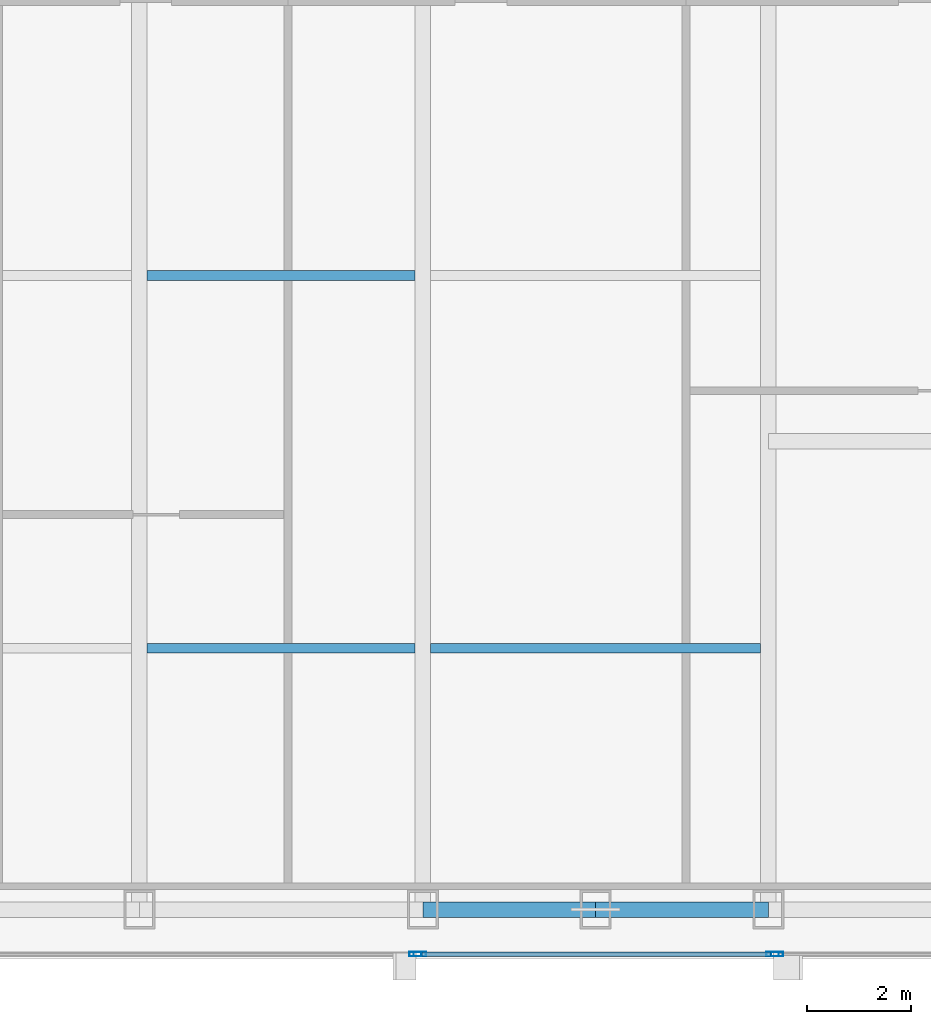
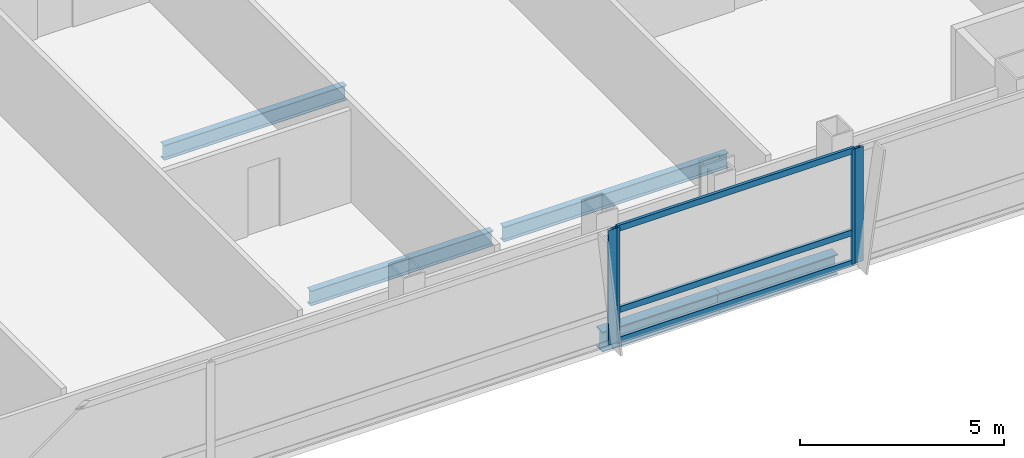
# One storey, part 14 of 29: 7 members, 5 beams, 3 elements without a shape of their own.
"""IFC4 building model written with IfcOpenShell, lengths in metres."""

from ifc_helpers import new_model, si_unit, direction, frame, origin, origin_2d, place, context, subcontext, project, spatial, hollow_rectangle, i_section, extrude, material, material_profile, profile_set, type_object, element, aggregate, save


model = new_model("IFC4")

# Units and contexts
model_context = context("Model", 3, precision=1e-05, world=origin(), true_north=direction((0.0, 1.0)))
body_context = subcontext(model_context, "Body", "Model", "MODEL_VIEW")
ifc_project = project(units=[si_unit("LENGTHUNIT", "METRE"), si_unit("AREAUNIT", "SQUARE_METRE"), si_unit("VOLUMEUNIT", "CUBIC_METRE"), si_unit("PLANEANGLEUNIT", "RADIAN"), si_unit("MASSUNIT", "GRAM", prefix="KILO")], contexts=[model_context])

# Site, building, storey
site_placement = place(None, origin())
site = spatial("IfcSite", under=ifc_project, at=site_placement, CompositionType="ELEMENT")
building_placement = place(site_placement, origin())
building = spatial("IfcBuilding", under=site, at=building_placement, Name="Khoronbel Lancet Exchange", CompositionType="ELEMENT")
storey_placement = place(building_placement, frame((0.0, 0.0, 246.199951171875)))
storey = spatial("IfcBuildingStorey", under=building, at=storey_placement, Name="L63", CompositionType="ELEMENT", Elevation=246.199951171875)

# Beams
ifc_material_1 = material(Name="Steel S355", Category="steel")
ifc_material_profile_1 = material_profile(ifc_material_1, i_section(OverallWidth=0.18994140625, OverallDepth=0.449951171875, WebThickness=0.009521484375, FlangeThickness=0.0146484375, at=origin_2d()), Name="IPE 450")
ifc_profile_set_1 = profile_set([ifc_material_profile_1], Name="Steel S355")
beam_type_1 = type_object("IfcBeamType", Name="BM-BJ4", PredefinedType="JOIST", material=ifc_profile_set_1)
beam_1_placement = place(storey_placement, frame((42.675048828125, 15.199951171875, -0.385009765625), z_axis=(1.0, 0.0, 0.0), x_axis=(0.0, 1.0, 0.0)))
element("IfcBeam", 1, at=beam_1_placement, inside=storey, type_object=beam_type_1, Name="Level L63 secondary composite joist J04", PredefinedType="JOIST", context=body_context, shape_type="SweptSolid", body=[
    extrude(i_section(OverallWidth=0.18994140625, OverallDepth=0.449951171875, WebThickness=0.009521484375, FlangeThickness=0.0146484375, at=origin_2d()), origin(), (0.0, 0.0, 1.0), 5.175048828125),
])
beam_2_placement = place(storey_placement, frame((48.14990234375, 15.199951171875, -0.385009765625), z_axis=(1.0, 0.0, 0.0), x_axis=(0.0, 1.0, 0.0)))
element("IfcBeam", 2, at=beam_2_placement, inside=storey, type_object=beam_type_1, Name="Level L63 secondary composite joist J05", PredefinedType="JOIST", context=body_context, shape_type="SweptSolid", body=[
    extrude(i_section(OverallWidth=0.18994140625, OverallDepth=0.449951171875, WebThickness=0.009521484375, FlangeThickness=0.0146484375, at=origin_2d()), origin(), (0.0, 0.0, 1.0), 6.375),
])
beam_3_placement = place(storey_placement, frame((42.675048828125, 22.39990234375, -0.385009765625), z_axis=(1.0, 0.0, 0.0), x_axis=(0.0, 1.0, 0.0)))
element("IfcBeam", 3, at=beam_3_placement, inside=storey, type_object=beam_type_1, Name="Level L63 secondary composite joist J09", PredefinedType="JOIST", context=body_context, shape_type="SweptSolid", body=[
    extrude(i_section(OverallWidth=0.18994140625, OverallDepth=0.449951171875, WebThickness=0.009521484375, FlangeThickness=0.0146484375, at=origin_2d()), origin(), (0.0, 0.0, 1.0), 5.175048828125),
])
ifc_material_profile_2 = material_profile(ifc_material_1, i_section(OverallWidth=0.300048828125, OverallDepth=0.60009765625, WebThickness=0.015380859375, FlangeThickness=0.030029296875, at=origin_2d()), Name="HEB 600")
ifc_profile_set_2 = profile_set([ifc_material_profile_2], Name="Steel S355")
beam_type_2 = type_object("IfcBeamType", Name="BM-BSP2", PredefinedType="SPANDREL", material=ifc_profile_set_2)
beam_4_placement = place(storey_placement, frame((48.0, 10.14990234375, -0.4599609375), z_axis=(1.0, 0.0, 0.0), x_axis=(0.0, 1.0, 0.0)))
element("IfcBeam", 4, at=beam_4_placement, inside=storey, type_object=beam_type_2, Name="Level L63 perimeter spandrel beam SP07", PredefinedType="SPANDREL", context=body_context, shape_type="SweptSolid", body=[
    extrude(i_section(OverallWidth=0.300048828125, OverallDepth=0.60009765625, WebThickness=0.015380859375, FlangeThickness=0.030029296875, at=origin_2d()), origin(), (0.0, 0.0, 1.0), 3.33740234375),
])
beam_5_placement = place(storey_placement, frame((51.33740234375, 10.14990234375, -0.4599609375), z_axis=(1.0, 0.0, 0.0), x_axis=(0.0, 1.0, 0.0)))
element("IfcBeam", 5, at=beam_5_placement, inside=storey, type_object=beam_type_2, Name="Level L63 perimeter spandrel beam SP08", PredefinedType="SPANDREL", context=body_context, shape_type="SweptSolid", body=[
    extrude(i_section(OverallWidth=0.300048828125, OverallDepth=0.60009765625, WebThickness=0.015380859375, FlangeThickness=0.030029296875, at=origin_2d()), origin(), (0.0, 0.0, 1.0), 3.337646484375),
])

# Curtain wall, member
ifc_material_2 = material(Name="Low-E Solar Control Insulating Glass", Category="glass")
curtain_wall_type = type_object("IfcCurtainWallType", Name="CW-3", PredefinedType="NOTDEFINED", material=ifc_material_2)
curtain_wall_1_placement = place(storey_placement, origin())
curtain_wall_1 = element("IfcCurtainWall", 6, at=curtain_wall_1_placement, inside=storey, type_object=curtain_wall_type, Name="Unitised curtain wall CW-L63-SCV", PredefinedType="NOTDEFINED")
ifc_material_3 = material(Name="Bronze-Anodised Aluminium 6063-T6", Category="aluminium")
ifc_material_profile_3 = material_profile(ifc_material_3, hollow_rectangle(XDim=0.0849609375, YDim=0.239990234375, WallThickness=0.006103515625, at=origin_2d()), Name="ALU MULLION 85x240")
ifc_profile_set_3 = profile_set([ifc_material_profile_3], Name="Bronze-Anodised Aluminium 6063-T6")
member_type_1 = type_object("IfcMemberType", Name="MEM-CWM1", PredefinedType="MULLION", material=ifc_profile_set_3)
member_1_placement = place(storey_placement, frame((47.857421875, 9.2900390625, 0.0), z_axis=(0.0, 0.0, 1.0), x_axis=(0.0, 1.0, 0.0)))
member_1 = element("IfcMember", 7, at=member_1_placement, type_object=member_type_1, Name="CW3 mullion 3", PredefinedType="MULLION", context=body_context, shape_type="SweptSolid", body=[
    extrude(hollow_rectangle(XDim=0.0849609375, YDim=0.239990234375, WallThickness=0.006103515625, at=origin_2d()), origin(), (0.0, 0.0, 1.0), 3.43994140625),
])
aggregate(curtain_wall_1, [member_1])

# Curtain wall, members
curtain_wall_2_placement = place(storey_placement, origin())
curtain_wall_2 = element("IfcCurtainWall", 8, at=curtain_wall_2_placement, inside=storey, type_object=curtain_wall_type, Name="Unitised curtain wall CW-L63-SEB", PredefinedType="NOTDEFINED")
member_2_placement = place(storey_placement, frame((47.9423828125, 9.2900390625, 0.0), z_axis=(0.0, 0.0, 1.0), x_axis=(0.0, 1.0, 0.0)))
member_2 = element("IfcMember", 9, at=member_2_placement, type_object=member_type_1, Name="CW3 mullion 1", PredefinedType="MULLION", context=body_context, shape_type="SweptSolid", body=[
    extrude(hollow_rectangle(XDim=0.0849609375, YDim=0.239990234375, WallThickness=0.006103515625, at=origin_2d()), origin(), (0.0, 0.0, 1.0), 3.43994140625),
])
member_3_placement = place(storey_placement, frame((54.757568359375, 9.2900390625, 0.0), z_axis=(0.0, 0.0, 1.0), x_axis=(0.0, 1.0, 0.0)))
member_3 = element("IfcMember", 10, at=member_3_placement, type_object=member_type_1, Name="CW3 mullion 2", PredefinedType="MULLION", context=body_context, shape_type="SweptSolid", body=[
    extrude(hollow_rectangle(XDim=0.0849609375, YDim=0.239990234375, WallThickness=0.006103515625, at=origin_2d()), origin(), (0.0, 0.0, 1.0), 3.43994140625),
])

# Curtain wall, member
curtain_wall_3_placement = place(storey_placement, origin())
curtain_wall_3 = element("IfcCurtainWall", 11, at=curtain_wall_3_placement, inside=storey, type_object=curtain_wall_type, Name="Unitised curtain wall CW-L63-SEV", PredefinedType="NOTDEFINED")
member_4_placement = place(storey_placement, frame((54.842529296875, 9.2900390625, 0.0), z_axis=(0.0, 0.0, 1.0), x_axis=(0.0, 1.0, 0.0)))
member_4 = element("IfcMember", 12, at=member_4_placement, type_object=member_type_1, Name="CW3 mullion 1", PredefinedType="MULLION", context=body_context, shape_type="SweptSolid", body=[
    extrude(hollow_rectangle(XDim=0.0849609375, YDim=0.239990234375, WallThickness=0.006103515625, at=origin_2d()), origin(), (0.0, 0.0, 1.0), 3.43994140625),
])
aggregate(curtain_wall_3, [member_4])

# Member
ifc_material_profile_4 = material_profile(ifc_material_3, hollow_rectangle(XDim=0.0849609375, YDim=0.179931640625, WallThickness=0.0048828125, at=origin_2d()), Name="ALU TRANSOM 85x180")
ifc_profile_set_4 = profile_set([ifc_material_profile_4], Name="Bronze-Anodised Aluminium 6063-T6")
member_type_2 = type_object("IfcMemberType", Name="MEM-CWT1", PredefinedType="USERDEFINED", material=ifc_profile_set_4)
member_5_placement = place(storey_placement, frame((47.985107421875, 9.2900390625, 0.04248046875), z_axis=(1.0, 0.0, 0.0), x_axis=(0.0, 1.0, 0.0)))
member_5 = element("IfcMember", 13, at=member_5_placement, type_object=member_type_2, Name="CW3 transom 1.1", ObjectType="TRANSOM", PredefinedType="USERDEFINED", context=body_context, shape_type="SweptSolid", body=[
    extrude(hollow_rectangle(XDim=0.0849609375, YDim=0.179931640625, WallThickness=0.0048828125, at=origin_2d()), origin(), (0.0, 0.0, 1.0), 6.72998046875),
])

member_6_placement = place(storey_placement, frame((47.985107421875, 9.2900390625, 0.949951171875), z_axis=(1.0, 0.0, 0.0), x_axis=(0.0, 1.0, 0.0)))
member_6 = element("IfcMember", 14, at=member_6_placement, type_object=member_type_2, Name="CW3 transom 1.2", ObjectType="TRANSOM", PredefinedType="USERDEFINED", context=body_context, shape_type="SweptSolid", body=[
    extrude(hollow_rectangle(XDim=0.0849609375, YDim=0.179931640625, WallThickness=0.0048828125, at=origin_2d()), origin(), (0.0, 0.0, 1.0), 6.72998046875),
])

member_7_placement = place(storey_placement, frame((47.985107421875, 9.2900390625, 3.3974609375), z_axis=(1.0, 0.0, 0.0), x_axis=(0.0, 1.0, 0.0)))
member_7 = element("IfcMember", 15, at=member_7_placement, type_object=member_type_2, Name="CW3 transom 1.3", ObjectType="TRANSOM", PredefinedType="USERDEFINED", context=body_context, shape_type="SweptSolid", body=[
    extrude(hollow_rectangle(XDim=0.0849609375, YDim=0.179931640625, WallThickness=0.0048828125, at=origin_2d()), origin(), (0.0, 0.0, 1.0), 6.72998046875),
])

aggregate(curtain_wall_2, [member_2, member_3, member_5, member_6, member_7])

save(model, "model.ifc")
